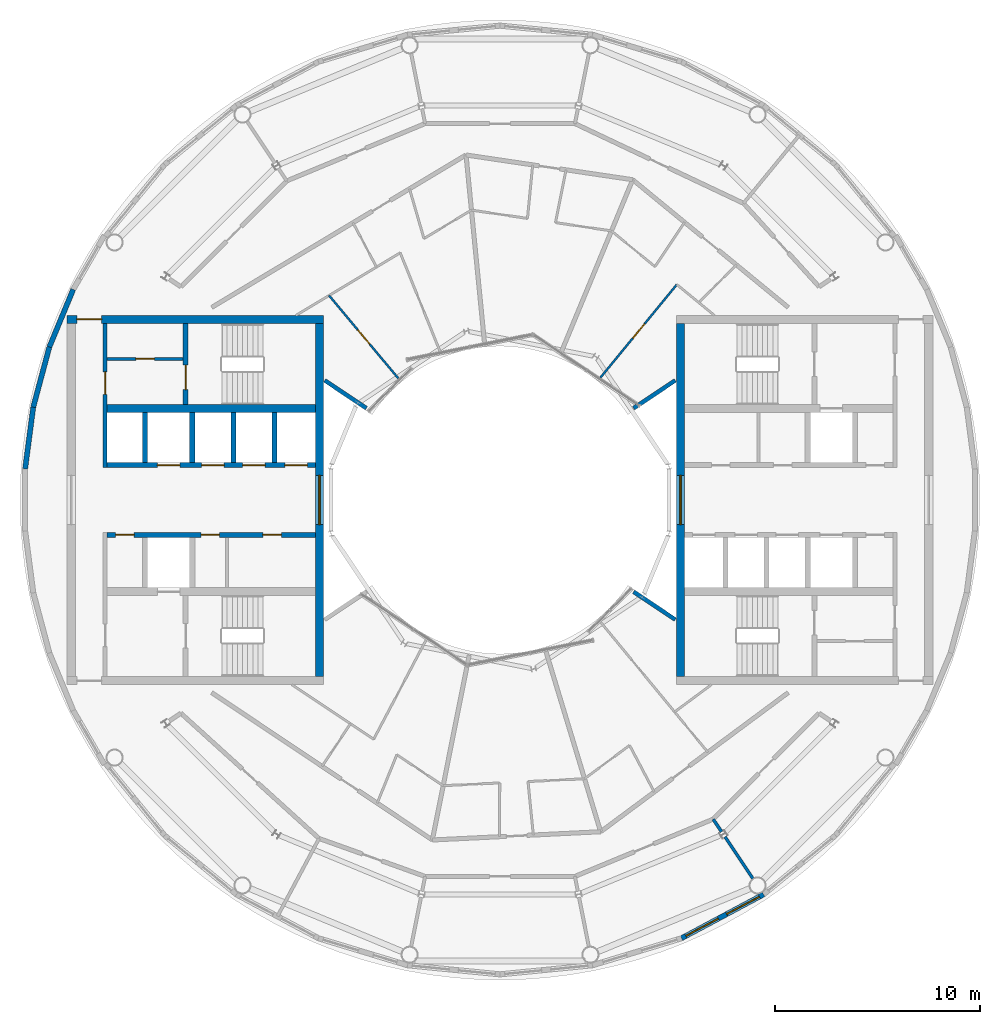
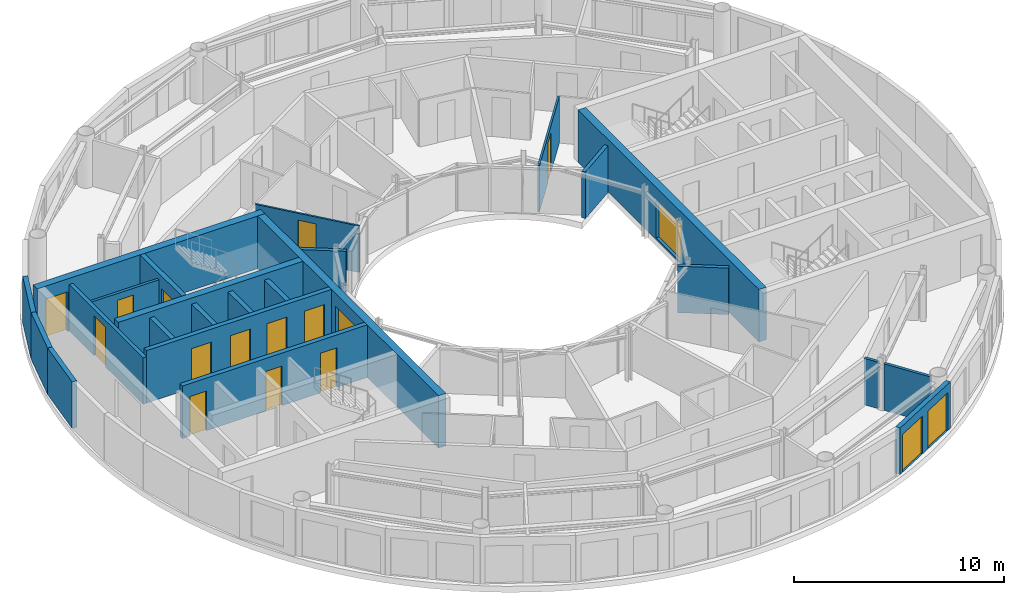
# One storey, part 10 of 17: 24 walls, 15 doors, 2 windows, 17 openings.
"""IFC4 building model written with IfcOpenShell, lengths in metres."""

from ifc_helpers import new_model, si_unit, direction, frame, frame_2d, origin, place, context, subcontext, project, spatial, rectangle, extrude, material, layer, layer_set, type_object, element, fill, save


model = new_model("IFC4")

# Units and contexts
model_context = context("Model", 3, precision=1e-05, world=origin(), true_north=direction((0.0, 1.0)))
body_context = subcontext(model_context, "Body", "Model", "MODEL_VIEW")
ifc_project = project(units=[si_unit("LENGTHUNIT", "METRE"), si_unit("AREAUNIT", "SQUARE_METRE"), si_unit("VOLUMEUNIT", "CUBIC_METRE"), si_unit("PLANEANGLEUNIT", "RADIAN"), si_unit("MASSUNIT", "GRAM", prefix="KILO")], contexts=[model_context])

# Site, building, storey
site_placement = place(None, origin())
site = spatial("IfcSite", under=ifc_project, at=site_placement, CompositionType="ELEMENT")
building_placement = place(site_placement, origin())
building = spatial("IfcBuilding", under=site, at=building_placement, Name="Maasbend Ring Residences", CompositionType="ELEMENT")
storey_placement = place(building_placement, frame((0.0, 0.0, 249.300048828125)))
storey = spatial("IfcBuildingStorey", under=building, at=storey_placement, Name="L72", CompositionType="ELEMENT", Elevation=249.300048828125)

# Wall, openings, doors
ifc_material_1 = material(Name="Concrete C50/60", Category="concrete")
ifc_layer_1 = layer(ifc_material_1, 0.25)
ifc_layer_set_1 = layer_set([ifc_layer_1], Name="Concrete C50/60")
wall_type_1 = type_object("IfcWallType", Name="CORE WALL 250 C50/60", PredefinedType="SHEAR", material=ifc_layer_set_1)
wall_1_placement = place(storey_placement, frame((-9.0, -1.699951171875, 0.0), z_axis=(0.0, 0.0, 1.0), x_axis=(-1.0, 0.0, 0.0)))
wall_1 = element("IfcWall", 1, at=wall_1_placement, inside=storey, type_object=wall_type_1, Name="L72 core W wall SPN", PredefinedType="SHEAR", context=body_context, shape_type="SweptSolid", body=[
    extrude(rectangle(XDim=10.14990234375, YDim=0.25, at=frame_2d((5.074951171875, 0.0))), origin(), (0.0, 0.0, 1.0), 3.050048828125),
])
opening_1_placement = place(wall_1_placement, frame((1.66259765625, 0.0, 0.0)))
opening_1 = element("IfcOpeningElement", 2, at=opening_1_placement, cuts=wall_1, Name="Opening D-W7206", PredefinedType="OPENING", context=body_context, shape_type="SweptSolid", body=[
    extrude(rectangle(XDim=0.89990234375, YDim=2.300048828125, at=frame_2d((0.449951171875, 1.14990234375))), frame((0.0, 0.135009765625, 0.0), z_axis=(0.0, -1.0, 0.0), x_axis=(1.0, 0.0, 0.0)), (0.0, 0.0, 1.0), 0.27001953125),
])
opening_2_placement = place(wall_1_placement, frame((4.675048828125, 0.0, 0.0)))
opening_2 = element("IfcOpeningElement", 3, at=opening_2_placement, cuts=wall_1, Name="Opening D-W7207", PredefinedType="OPENING", context=body_context, shape_type="SweptSolid", body=[
    extrude(rectangle(XDim=0.89990234375, YDim=2.300048828125, at=frame_2d((0.449951171875, 1.14990234375))), frame((0.0, 0.135009765625, 0.0), z_axis=(0.0, -1.0, 0.0), x_axis=(1.0, 0.0, 0.0)), (0.0, 0.0, 1.0), 0.27001953125),
])
opening_3_placement = place(wall_1_placement, frame((8.83740234375, 0.0, 0.0)))
opening_3 = element("IfcOpeningElement", 4, at=opening_3_placement, cuts=wall_1, Name="Opening D-W7208", PredefinedType="OPENING", context=body_context, shape_type="SweptSolid", body=[
    extrude(rectangle(XDim=0.89990234375, YDim=2.300048828125, at=frame_2d((0.449951171875, 1.14990234375))), frame((0.0, 0.135009765625, 0.0), z_axis=(0.0, -1.0, 0.0), x_axis=(1.0, 0.0, 0.0)), (0.0, 0.0, 1.0), 0.27001953125),
])
ifc_material_2 = material(Name="Steel, powder coated", Category="steel")
door_type_1 = type_object("IfcDoorType", Name="ROOM DOOR 900 X 2300 FD30S", OperationType="NOTDEFINED", PredefinedType="DOOR", material=ifc_material_2)
door_1_placement = place(opening_1_placement, origin())
door_1 = element("IfcDoor", 5, at=door_1_placement, inside=storey, type_object=door_type_1, Name="Room door L72", OperationType="SINGLE_SWING_RIGHT", OverallHeight=2.300048828125, OverallWidth=0.89990234375, PredefinedType="DOOR", context=body_context, shape_type="SweptSolid", body=[
    extrude(rectangle(XDim=0.89990234375, YDim=2.300048828125, at=frame_2d((0.449951171875, 1.14990234375))), frame((0.0, 0.02490234375, 0.0), z_axis=(0.0, -1.0, 0.0), x_axis=(1.0, 0.0, 0.0)), (0.0, 0.0, 1.0), 0.050048828125),
])
fill(opening_1, door_1)
door_2_placement = place(opening_2_placement, origin())
door_2 = element("IfcDoor", 6, at=door_2_placement, inside=storey, type_object=door_type_1, Name="Room door L72", OperationType="SINGLE_SWING_LEFT", OverallHeight=2.300048828125, OverallWidth=0.89990234375, PredefinedType="DOOR", context=body_context, shape_type="SweptSolid", body=[
    extrude(rectangle(XDim=0.89990234375, YDim=2.300048828125, at=frame_2d((0.449951171875, 1.14990234375))), frame((0.0, 0.02490234375, 0.0), z_axis=(0.0, -1.0, 0.0), x_axis=(1.0, 0.0, 0.0)), (0.0, 0.0, 1.0), 0.050048828125),
])
fill(opening_2, door_2)
door_3_placement = place(opening_3_placement, origin())
door_3 = element("IfcDoor", 7, at=door_3_placement, inside=storey, type_object=door_type_1, Name="Room door L72", OperationType="SINGLE_SWING_LEFT", OverallHeight=2.300048828125, OverallWidth=0.89990234375, PredefinedType="DOOR", context=body_context, shape_type="SweptSolid", body=[
    extrude(rectangle(XDim=0.89990234375, YDim=2.300048828125, at=frame_2d((0.449951171875, 1.14990234375))), frame((0.0, 0.02490234375, 0.0), z_axis=(0.0, -1.0, 0.0), x_axis=(1.0, 0.0, 0.0)), (0.0, 0.0, 1.0), 0.050048828125),
])
fill(opening_3, door_3)

wall_2_placement = place(storey_placement, frame((-9.0, 1.699951171875, 0.0), z_axis=(0.0, 0.0, 1.0), x_axis=(-1.0, 0.0, 0.0)))
wall_2 = element("IfcWall", 8, at=wall_2_placement, inside=storey, type_object=wall_type_1, Name="L72 core W wall SPS", PredefinedType="SHEAR", context=body_context, shape_type="SweptSolid", body=[
    extrude(rectangle(XDim=10.14990234375, YDim=0.25, at=frame_2d((5.074951171875, 0.0))), origin(), (0.0, 0.0, 1.0), 3.050048828125),
])
opening_4_placement = place(wall_2_placement, frame((0.387451171875, 0.0, 0.0)))
opening_4 = element("IfcOpeningElement", 9, at=opening_4_placement, cuts=wall_2, Name="Opening LD-W7202", PredefinedType="OPENING", context=body_context, shape_type="SweptSolid", body=[
    extrude(rectangle(XDim=1.10009765625, YDim=2.300048828125, at=frame_2d((0.550048828125, 1.14990234375))), frame((0.0, 0.135009765625, 0.0), z_axis=(0.0, -1.0, 0.0), x_axis=(1.0, 0.0, 0.0)), (0.0, 0.0, 1.0), 0.27001953125),
])
opening_5_placement = place(wall_2_placement, frame((2.449951171875, 0.0, 0.0)))
opening_5 = element("IfcOpeningElement", 10, at=opening_5_placement, cuts=wall_2, Name="Opening LD-W7203", PredefinedType="OPENING", context=body_context, shape_type="SweptSolid", body=[
    extrude(rectangle(XDim=1.10009765625, YDim=2.300048828125, at=frame_2d((0.550048828125, 1.14990234375))), frame((0.0, 0.135009765625, 0.0), z_axis=(0.0, -1.0, 0.0), x_axis=(1.0, 0.0, 0.0)), (0.0, 0.0, 1.0), 0.27001953125),
])
opening_6_placement = place(wall_2_placement, frame((4.449951171875, 0.0, 0.0)))
opening_6 = element("IfcOpeningElement", 11, at=opening_6_placement, cuts=wall_2, Name="Opening LD-W7204", PredefinedType="OPENING", context=body_context, shape_type="SweptSolid", body=[
    extrude(rectangle(XDim=1.10009765625, YDim=2.300048828125, at=frame_2d((0.550048828125, 1.14990234375))), frame((0.0, 0.135009765625, 0.0), z_axis=(0.0, -1.0, 0.0), x_axis=(1.0, 0.0, 0.0)), (0.0, 0.0, 1.0), 0.27001953125),
])
opening_7_placement = place(wall_2_placement, frame((6.60009765625, 0.0, 0.0)))
opening_7 = element("IfcOpeningElement", 12, at=opening_7_placement, cuts=wall_2, Name="Opening LD-W7205", PredefinedType="OPENING", context=body_context, shape_type="SweptSolid", body=[
    extrude(rectangle(XDim=1.10009765625, YDim=2.300048828125, at=frame_2d((0.550048828125, 1.14990234375))), frame((0.0, 0.135009765625, 0.0), z_axis=(0.0, -1.0, 0.0), x_axis=(1.0, 0.0, 0.0)), (0.0, 0.0, 1.0), 0.27001953125),
])
ifc_material_3 = material(Name="Stainless steel 316", Category="steel")
door_type_2 = type_object("IfcDoorType", Name="LANDING DOOR 1100 X 2300 FD60", OperationType="DOUBLE_DOOR_SLIDING", PredefinedType="DOOR", material=ifc_material_3)
door_4_placement = place(opening_4_placement, origin())
door_4 = element("IfcDoor", 13, at=door_4_placement, inside=storey, type_object=door_type_2, Name="Landing door HR-W1 L72", OperationType="DOUBLE_DOOR_SLIDING", OverallHeight=2.300048828125, OverallWidth=1.10009765625, PredefinedType="DOOR", context=body_context, shape_type="SweptSolid", body=[
    extrude(rectangle(XDim=1.10009765625, YDim=2.300048828125, at=frame_2d((0.550048828125, 1.14990234375))), frame((0.0, 0.02490234375, 0.0), z_axis=(0.0, -1.0, 0.0), x_axis=(1.0, 0.0, 0.0)), (0.0, 0.0, 1.0), 0.050048828125),
])
fill(opening_4, door_4)
door_5_placement = place(opening_5_placement, origin())
door_5 = element("IfcDoor", 14, at=door_5_placement, inside=storey, type_object=door_type_2, Name="Landing door HR-W2 L72", OperationType="DOUBLE_DOOR_SLIDING", OverallHeight=2.300048828125, OverallWidth=1.10009765625, PredefinedType="DOOR", context=body_context, shape_type="SweptSolid", body=[
    extrude(rectangle(XDim=1.10009765625, YDim=2.300048828125, at=frame_2d((0.550048828125, 1.14990234375))), frame((0.0, 0.02490234375, 0.0), z_axis=(0.0, -1.0, 0.0), x_axis=(1.0, 0.0, 0.0)), (0.0, 0.0, 1.0), 0.050048828125),
])
fill(opening_5, door_5)
door_6_placement = place(opening_6_placement, origin())
door_6 = element("IfcDoor", 15, at=door_6_placement, inside=storey, type_object=door_type_2, Name="Landing door HR-W3 L72", OperationType="DOUBLE_DOOR_SLIDING", OverallHeight=2.300048828125, OverallWidth=1.10009765625, PredefinedType="DOOR", context=body_context, shape_type="SweptSolid", body=[
    extrude(rectangle(XDim=1.10009765625, YDim=2.300048828125, at=frame_2d((0.550048828125, 1.14990234375))), frame((0.0, 0.02490234375, 0.0), z_axis=(0.0, -1.0, 0.0), x_axis=(1.0, 0.0, 0.0)), (0.0, 0.0, 1.0), 0.050048828125),
])
fill(opening_6, door_6)
door_7_placement = place(opening_7_placement, origin())
door_7 = element("IfcDoor", 16, at=door_7_placement, inside=storey, type_object=door_type_2, Name="Landing door SV-W L72", OperationType="DOUBLE_DOOR_SLIDING", OverallHeight=2.300048828125, OverallWidth=1.10009765625, PredefinedType="DOOR", context=body_context, shape_type="SweptSolid", body=[
    extrude(rectangle(XDim=1.10009765625, YDim=2.300048828125, at=frame_2d((0.550048828125, 1.14990234375))), frame((0.0, 0.02490234375, 0.0), z_axis=(0.0, -1.0, 0.0), x_axis=(1.0, 0.0, 0.0)), (0.0, 0.0, 1.0), 0.050048828125),
])
fill(opening_7, door_7)

# Wall, opening, door
wall_3_placement = place(storey_placement, frame((-15.324951171875, 8.60009765625, 0.0), z_axis=(0.0, 0.0, 1.0), x_axis=(0.0, -1.0, 0.0)))
wall_3 = element("IfcWall", 17, at=wall_3_placement, inside=storey, type_object=wall_type_1, Name="L72 core W wall STES", PredefinedType="SHEAR", context=body_context, shape_type="SweptSolid", body=[
    extrude(rectangle(XDim=3.9501953125, YDim=0.25, at=frame_2d((1.97509765625, 0.0))), origin(), (0.0, 0.0, 1.0), 3.050048828125),
])
opening_8_placement = place(wall_3_placement, frame((2.02490234375, 0.0, 0.0)))
opening_8 = element("IfcOpeningElement", 18, at=opening_8_placement, cuts=wall_3, Name="Opening D-W7211", PredefinedType="OPENING", context=body_context, shape_type="SweptSolid", body=[
    extrude(rectangle(XDim=1.199951171875, YDim=2.300048828125, at=frame_2d((0.60009765625, 1.14990234375))), frame((0.0, 0.135009765625, 0.0), z_axis=(0.0, -1.0, 0.0), x_axis=(1.0, 0.0, 0.0)), (0.0, 0.0, 1.0), 0.27001953125),
])
ifc_material_4 = material(Name="Steel, powder coated", Category="steel")
door_type_3 = type_object("IfcDoorType", Name="STAIR DOOR 1200 X 2300 FD60", OperationType="NOTDEFINED", PredefinedType="DOOR", material=ifc_material_4)
door_8_placement = place(opening_8_placement, origin())
door_8 = element("IfcDoor", 19, at=door_8_placement, inside=storey, type_object=door_type_3, Name="Stair door ST-W L72", OperationType="SINGLE_SWING_LEFT", OverallHeight=2.300048828125, OverallWidth=1.199951171875, PredefinedType="DOOR", context=body_context, shape_type="SweptSolid", body=[
    extrude(rectangle(XDim=1.199951171875, YDim=2.300048828125, at=frame_2d((0.60009765625, 1.14990234375))), frame((0.0, 0.02490234375, 0.0), z_axis=(0.0, -1.0, 0.0), x_axis=(1.0, 0.0, 0.0)), (0.0, 0.0, 1.0), 0.050048828125),
])
fill(opening_8, door_8)

# Wall
ifc_material_5 = material(Name="Concrete C50/60", Category="concrete")
ifc_layer_2 = layer(ifc_material_5, 0.375)
ifc_layer_set_2 = layer_set([ifc_layer_2], Name="Concrete C50/60")
wall_type_2 = type_object("IfcWallType", Name="CORE WALL 375 C50/60", PredefinedType="SHEAR", material=ifc_layer_set_2)
wall_4_placement = place(storey_placement, frame((-9.0, 4.46240234375, 0.0), z_axis=(0.0, 0.0, 1.0), x_axis=(-1.0, 0.0, 0.0)))
element("IfcWall", 20, at=wall_4_placement, inside=storey, type_object=wall_type_2, Name="L72 core W wall BS", PredefinedType="SHEAR", context=body_context, shape_type="SweptSolid", body=[
    extrude(rectangle(XDim=10.14990234375, YDim=0.375, at=frame_2d((5.074951171875, 0.0))), origin(), (0.0, 0.0, 1.0), 3.050048828125),
])

# Wall, opening, window
ifc_material_6 = material(Name="Concrete C50/60", Category="concrete")
ifc_layer_3 = layer(ifc_material_6, 0.39990234375)
ifc_layer_set_3 = layer_set([ifc_layer_3], Name="Concrete C50/60")
wall_type_3 = type_object("IfcWallType", Name="CORE WALL 400 C50/60", PredefinedType="SHEAR", material=ifc_layer_set_3)
wall_5_placement = place(storey_placement, frame((8.800048828125, -8.60009765625, 0.0), z_axis=(0.0, 0.0, 1.0), x_axis=(0.0, 1.0, 0.0)))
wall_5 = element("IfcWall", 21, at=wall_5_placement, inside=storey, type_object=wall_type_3, Name="L72 core E wall PIN", PredefinedType="SHEAR", context=body_context, shape_type="SweptSolid", body=[
    extrude(rectangle(XDim=17.2001953125, YDim=0.39990234375, at=frame_2d((8.60009765625, 0.0))), origin(), (0.0, 0.0, 1.0), 3.050048828125),
])
opening_9_placement = place(wall_5_placement, frame((7.39990234375, 0.0, 0.10009765625)))
opening_9 = element("IfcOpeningElement", 22, at=opening_9_placement, cuts=wall_5, Name="Opening W-E7201", PredefinedType="OPENING", context=body_context, shape_type="SweptSolid", body=[
    extrude(rectangle(XDim=2.39990234375, YDim=2.199951171875, at=frame_2d((1.199951171875, 1.10009765625))), frame((0.0, 0.2099609375, 0.0), z_axis=(0.0, -1.0, 0.0), x_axis=(1.0, 0.0, 0.0)), (0.0, 0.0, 1.0), 0.419921875),
])
ifc_material_7 = material(Name="Aluminium frame and clear glass", Category="aluminium")
window_type = type_object("IfcWindowType", Name="FIXED WINDOW 2400 X 2200", PartitioningType="SINGLE_PANEL", PredefinedType="WINDOW", material=ifc_material_7)
window_1_placement = place(opening_9_placement, origin())
window_1 = element("IfcWindow", 23, at=window_1_placement, inside=storey, type_object=window_type, Name="Lobby window L72", OverallHeight=2.199951171875, OverallWidth=2.39990234375, PartitioningType="SINGLE_PANEL", PredefinedType="WINDOW", context=body_context, shape_type="SweptSolid", body=[
    extrude(rectangle(XDim=2.39990234375, YDim=2.199951171875, at=frame_2d((1.199951171875, 1.10009765625))), frame((0.0, 0.030029296875, 0.0), z_axis=(0.0, -1.0, 0.0), x_axis=(1.0, 0.0, 0.0)), (0.0, 0.0, 1.0), 0.06005859375),
])
fill(opening_9, window_1)

# Wall, opening, door
wall_6_placement = place(storey_placement, frame((-8.60009765625, 8.800048828125, 0.0), z_axis=(0.0, 0.0, 1.0), x_axis=(-1.0, 0.0, 0.0)))
wall_6 = element("IfcWall", 24, at=wall_6_placement, inside=storey, type_object=wall_type_3, Name="L72 core W wall PS", PredefinedType="SHEAR", context=body_context, shape_type="SweptSolid", body=[
    extrude(rectangle(XDim=12.5, YDim=0.39990234375, at=frame_2d((6.25, 0.0))), origin(), (0.0, 0.0, 1.0), 3.050048828125),
])
opening_10_placement = place(wall_6_placement, frame((10.824951171875, 0.0, 0.0)))
opening_10 = element("IfcOpeningElement", 25, at=opening_10_placement, cuts=wall_6, Name="Opening D-W7215", PredefinedType="OPENING", context=body_context, shape_type="SweptSolid", body=[
    extrude(rectangle(XDim=1.199951171875, YDim=2.300048828125, at=frame_2d((0.60009765625, 1.14990234375))), frame((0.0, 0.2099609375, 0.0), z_axis=(0.0, -1.0, 0.0), x_axis=(1.0, 0.0, 0.0)), (0.0, 0.0, 1.0), 0.419921875),
])
ifc_material_8 = material(Name="Steel, powder coated", Category="steel")
door_type_4 = type_object("IfcDoorType", Name="CORRIDOR DOOR 1200 X 2300 FD30S", OperationType="NOTDEFINED", PredefinedType="DOOR", material=ifc_material_8)
door_9_placement = place(opening_10_placement, origin())
door_9 = element("IfcDoor", 26, at=door_9_placement, inside=storey, type_object=door_type_4, Name="Corridor door L72", OperationType="SINGLE_SWING_LEFT", OverallHeight=2.300048828125, OverallWidth=1.199951171875, PredefinedType="DOOR", context=body_context, shape_type="SweptSolid", body=[
    extrude(rectangle(XDim=1.199951171875, YDim=2.300048828125, at=frame_2d((0.60009765625, 1.14990234375))), frame((0.0, 0.02490234375, 0.0), z_axis=(0.0, -1.0, 0.0), x_axis=(1.0, 0.0, 0.0)), (0.0, 0.0, 1.0), 0.050048828125),
])
fill(opening_10, door_9)

# Wall, opening, window
wall_7_placement = place(storey_placement, frame((-8.800048828125, 8.60009765625, 0.0), z_axis=(0.0, 0.0, 1.0), x_axis=(0.0, -1.0, 0.0)))
wall_7 = element("IfcWall", 27, at=wall_7_placement, inside=storey, type_object=wall_type_3, Name="L72 core W wall PIN", PredefinedType="SHEAR", context=body_context, shape_type="SweptSolid", body=[
    extrude(rectangle(XDim=17.2001953125, YDim=0.39990234375, at=frame_2d((8.60009765625, 0.0))), origin(), (0.0, 0.0, 1.0), 3.050048828125),
])
opening_11_placement = place(wall_7_placement, frame((7.39990234375, 0.0, 0.10009765625)))
opening_11 = element("IfcOpeningElement", 28, at=opening_11_placement, cuts=wall_7, Name="Opening W-W7201", PredefinedType="OPENING", context=body_context, shape_type="SweptSolid", body=[
    extrude(rectangle(XDim=2.39990234375, YDim=2.199951171875, at=frame_2d((1.199951171875, 1.10009765625))), frame((0.0, 0.2099609375, 0.0), z_axis=(0.0, -1.0, 0.0), x_axis=(1.0, 0.0, 0.0)), (0.0, 0.0, 1.0), 0.419921875),
])
window_2_placement = place(opening_11_placement, origin())
window_2 = element("IfcWindow", 29, at=window_2_placement, inside=storey, type_object=window_type, Name="Lobby window L72", OverallHeight=2.199951171875, OverallWidth=2.39990234375, PartitioningType="SINGLE_PANEL", PredefinedType="WINDOW", context=body_context, shape_type="SweptSolid", body=[
    extrude(rectangle(XDim=2.39990234375, YDim=2.199951171875, at=frame_2d((1.199951171875, 1.10009765625))), frame((0.0, 0.030029296875, 0.0), z_axis=(0.0, -1.0, 0.0), x_axis=(1.0, 0.0, 0.0)), (0.0, 0.0, 1.0), 0.06005859375),
])
fill(opening_11, window_2)

# Wall, openings, doors
ifc_material_9 = material(Name="Aluminium clad insulated panel", Category="aluminium")
ifc_layer_4 = layer(ifc_material_9, 0.25)
ifc_layer_set_4 = layer_set([ifc_layer_4], Name="EW-GL")
wall_type_4 = type_object("IfcWallType", Name="EW-GL", PredefinedType="SOLIDWALL", material=ifc_layer_set_4)
wall_8_placement = place(storey_placement, frame((8.85009765625, -21.364990234375, 0.0), z_axis=(0.0, 0.0, 1.0), x_axis=(0.881912752543, 0.471412660947, 0.0)))
wall_8 = element("IfcWall", 30, at=wall_8_placement, inside=storey, type_object=wall_type_4, Name="External wall S08", PredefinedType="SOLIDWALL", context=body_context, shape_type="SweptSolid", body=[
    extrude(rectangle(XDim=4.533203125, YDim=0.25, at=frame_2d((2.2666015625, 0.0))), origin(), (0.0, 0.0, 1.0), 2.699951171875),
])
opening_12_placement = place(wall_8_placement, frame((0.236083984375, 0.0, 0.0)))
opening_12 = element("IfcOpeningElement", 31, at=opening_12_placement, cuts=wall_8, Name="Opening D-TR", PredefinedType="OPENING", context=body_context, shape_type="SweptSolid", body=[
    extrude(rectangle(XDim=1.800048828125, YDim=2.199951171875, at=frame_2d((0.89990234375, 1.10009765625))), frame((0.0, 0.135009765625, 0.0), z_axis=(0.0, -1.0, 0.0), x_axis=(1.0, 0.0, 0.0)), (0.0, 0.0, 1.0), 0.27001953125),
])
opening_13_placement = place(wall_8_placement, frame((2.497314453125, 0.0, 0.0)))
opening_13 = element("IfcOpeningElement", 32, at=opening_13_placement, cuts=wall_8, Name="Opening D-TR", PredefinedType="OPENING", context=body_context, shape_type="SweptSolid", body=[
    extrude(rectangle(XDim=1.800048828125, YDim=2.199951171875, at=frame_2d((0.89990234375, 1.10009765625))), frame((0.0, 0.135009765625, 0.0), z_axis=(0.0, -1.0, 0.0), x_axis=(1.0, 0.0, 0.0)), (0.0, 0.0, 1.0), 0.27001953125),
])
ifc_material_10 = material(Name="Aluminium and clear glass", Category="aluminium")
door_type_5 = type_object("IfcDoorType", Name="D-TR", OperationType="DOUBLE_DOOR_SINGLE_SWING", PredefinedType="DOOR", material=ifc_material_10)
door_10_placement = place(opening_12_placement, origin())
door_10 = element("IfcDoor", 33, at=door_10_placement, inside=storey, type_object=door_type_5, Name="Terrace door S15", OperationType="SINGLE_SWING_LEFT", OverallHeight=2.199951171875, OverallWidth=1.800048828125, PredefinedType="DOOR", context=body_context, shape_type="SweptSolid", body=[
    extrude(rectangle(XDim=1.800048828125, YDim=2.199951171875, at=frame_2d((0.89990234375, 1.10009765625))), frame((0.0, 0.02490234375, 0.0), z_axis=(0.0, -1.0, 0.0), x_axis=(1.0, 0.0, 0.0)), (0.0, 0.0, 1.0), 0.050048828125),
])
fill(opening_12, door_10)
door_11_placement = place(opening_13_placement, origin())
door_11 = element("IfcDoor", 34, at=door_11_placement, inside=storey, type_object=door_type_5, Name="Terrace door S16", OperationType="SINGLE_SWING_LEFT", OverallHeight=2.199951171875, OverallWidth=1.800048828125, PredefinedType="DOOR", context=body_context, shape_type="SweptSolid", body=[
    extrude(rectangle(XDim=1.800048828125, YDim=2.199951171875, at=frame_2d((0.89990234375, 1.10009765625))), frame((0.0, 0.02490234375, 0.0), z_axis=(0.0, -1.0, 0.0), x_axis=(1.0, 0.0, 0.0)), (0.0, 0.0, 1.0), 0.050048828125),
])
fill(opening_13, door_11)

# Walls
ifc_material_11 = material(Name="Louvred aluminium panel", Category="aluminium")
ifc_layer_5 = layer(ifc_material_11, 0.25)
ifc_layer_set_5 = layer_set([ifc_layer_5], Name="EW-LV")
wall_type_5 = type_object("IfcWallType", Name="EW-LV", PredefinedType="SOLIDWALL", material=ifc_layer_set_5)
wall_9_placement = place(storey_placement, frame((-20.806884765625, 10.260986328125, 0.0), z_axis=(0.0, 0.0, 1.0), x_axis=(-0.382872724993, -0.923801102216, 0.0)))
element("IfcWall", 35, at=wall_9_placement, inside=storey, type_object=wall_type_5, Name="Horn wall 2.2", PredefinedType="SOLIDWALL", context=body_context, shape_type="SweptSolid", body=[
    extrude(rectangle(XDim=3.03515625, YDim=0.25, at=frame_2d((1.517578125, 0.0))), origin(), (0.0, 0.0, 1.0), 2.699951171875),
])
wall_10_placement = place(storey_placement, frame((-21.968994140625, 7.45703125, 0.0), z_axis=(0.0, 0.0, 1.0), x_axis=(-0.258669057101, -0.965966002972, 0.0)))
element("IfcWall", 36, at=wall_10_placement, inside=storey, type_object=wall_type_5, Name="Horn wall 2.3", PredefinedType="SOLIDWALL", context=body_context, shape_type="SweptSolid", body=[
    extrude(rectangle(XDim=3.034423828125, YDim=0.25, at=frame_2d((1.51708984375, 0.0))), origin(), (0.0, 0.0, 1.0), 2.699951171875),
])
wall_11_placement = place(storey_placement, frame((-22.75390625, 4.52587890625, 0.0), z_axis=(0.0, 0.0, 1.0), x_axis=(-0.130487809173, -0.991449913842, 0.0)))
element("IfcWall", 37, at=wall_11_placement, inside=storey, type_object=wall_type_5, Name="Horn wall 2.4", PredefinedType="SOLIDWALL", context=body_context, shape_type="SweptSolid", body=[
    extrude(rectangle(XDim=3.03466796875, YDim=0.25, at=frame_2d((1.517333984375, 0.0))), origin(), (0.0, 0.0, 1.0), 2.699951171875),
])

# Wall, opening, door
ifc_material_12 = material(Name="Gypsum board on steel studs", Category="steel")
ifc_layer_6 = layer(ifc_material_12, 0.10009765625)
ifc_layer_set_6 = layer_set([ifc_layer_6], Name="PARTITION 100 GYPSUM")
wall_type_6 = type_object("IfcWallType", Name="PARTITION 100 GYPSUM", PredefinedType="PARTITIONING", material=ifc_layer_set_6)
wall_12_placement = place(storey_placement, frame((-8.3349609375, 9.969970703125, 0.0), z_axis=(0.0, 0.0, 1.0), x_axis=(0.641376424834, -0.767226356213, 0.0)))
wall_12 = element("IfcWall", 38, at=wall_12_placement, inside=storey, type_object=wall_type_6, Name="U-L72-w023", PredefinedType="PARTITIONING", context=body_context, shape_type="SweptSolid", body=[
    extrude(rectangle(XDim=5.274658203125, YDim=0.10009765625, at=frame_2d((2.63720703125, 0.0))), origin(), (0.0, 0.0, 1.0), 2.699951171875),
])
opening_14_placement = place(wall_12_placement, frame((2.18701171875, 0.0, 0.0)))
opening_14 = element("IfcOpeningElement", 39, at=opening_14_placement, cuts=wall_12, Name="Opening D-7222", PredefinedType="OPENING", context=body_context, shape_type="SweptSolid", body=[
    extrude(rectangle(XDim=0.89990234375, YDim=2.300048828125, at=frame_2d((0.449951171875, 1.14990234375))), frame((0.0, 0.06005859375, 0.0), z_axis=(0.0, -1.0, 0.0), x_axis=(1.0, 0.0, 0.0)), (0.0, 0.0, 1.0), 0.1201171875),
])
ifc_material_13 = material(Name="Timber, painted", Category="wood")
door_type_6 = type_object("IfcDoorType", Name="INTERNAL DOOR 900 X 2300", OperationType="NOTDEFINED", PredefinedType="DOOR", material=ifc_material_13)
door_12_placement = place(opening_14_placement, origin())
door_12 = element("IfcDoor", 40, at=door_12_placement, inside=storey, type_object=door_type_6, Name="D-7222", OperationType="SINGLE_SWING_RIGHT", OverallHeight=2.300048828125, OverallWidth=0.89990234375, PredefinedType="DOOR", context=body_context, shape_type="SweptSolid", body=[
    extrude(rectangle(XDim=0.89990234375, YDim=2.300048828125, at=frame_2d((0.449951171875, 1.14990234375))), frame((0.0, 0.02490234375, 0.0), z_axis=(0.0, -1.0, 0.0), x_axis=(1.0, 0.0, 0.0)), (0.0, 0.0, 1.0), 0.050048828125),
])
fill(opening_14, door_12)

wall_13_placement = place(storey_placement, frame((4.89794921875, 5.968017578125, 0.0), z_axis=(0.0, 0.0, 1.0), x_axis=(0.634358693064, 0.773038840249, 0.0)))
wall_13 = element("IfcWall", 41, at=wall_13_placement, inside=storey, type_object=wall_type_6, Name="U-L72-w045", PredefinedType="PARTITIONING", context=body_context, shape_type="SweptSolid", body=[
    extrude(rectangle(XDim=5.86767578125, YDim=0.10009765625, at=frame_2d((2.933837890625, 0.0))), origin(), (0.0, 0.0, 1.0), 2.699951171875),
])
opening_15_placement = place(wall_13_placement, frame((2.48388671875, 0.0, 0.0)))
opening_15 = element("IfcOpeningElement", 42, at=opening_15_placement, cuts=wall_13, Name="Opening D-7214", PredefinedType="OPENING", context=body_context, shape_type="SweptSolid", body=[
    extrude(rectangle(XDim=0.89990234375, YDim=2.300048828125, at=frame_2d((0.449951171875, 1.14990234375))), frame((0.0, 0.06005859375, 0.0), z_axis=(0.0, -1.0, 0.0), x_axis=(1.0, 0.0, 0.0)), (0.0, 0.0, 1.0), 0.1201171875),
])
door_13_placement = place(opening_15_placement, origin())
door_13 = element("IfcDoor", 43, at=door_13_placement, inside=storey, type_object=door_type_6, Name="D-7214", OperationType="SINGLE_SWING_RIGHT", OverallHeight=2.300048828125, OverallWidth=0.89990234375, PredefinedType="DOOR", context=body_context, shape_type="SweptSolid", body=[
    extrude(rectangle(XDim=0.89990234375, YDim=2.300048828125, at=frame_2d((0.449951171875, 1.14990234375))), frame((0.0, 0.02490234375, 0.0), z_axis=(0.0, -1.0, 0.0), x_axis=(1.0, 0.0, 0.0)), (0.0, 0.0, 1.0), 0.050048828125),
])
fill(opening_15, door_13)

ifc_material_14 = material(Name="Gypsum board on steel studs", Category="steel")
ifc_layer_7 = layer(ifc_material_14, 0.14990234375)
ifc_layer_set_7 = layer_set([ifc_layer_7], Name="PARTITION 150 EI 60")
wall_type_7 = type_object("IfcWallType", Name="PARTITION 150 EI 60", PredefinedType="PARTITIONING", material=ifc_layer_set_7)
wall_14_placement = place(storey_placement, frame((-15.449951171875, 6.875, 0.0), z_axis=(0.0, 0.0, 1.0), x_axis=(-1.0, 0.0, 0.0)))
wall_14 = element("IfcWall", 44, at=wall_14_placement, inside=storey, type_object=wall_type_7, Name="L72 core W wall RHS", PredefinedType="PARTITIONING", context=body_context, shape_type="SweptSolid", body=[
    extrude(rectangle(XDim=3.699951171875, YDim=0.14990234375, at=frame_2d((1.85009765625, 0.0))), origin(), (0.0, 0.0, 1.0), 2.699951171875),
])
opening_16_placement = place(wall_14_placement, frame((1.39990234375, 0.0, 0.0)))
opening_16 = element("IfcOpeningElement", 45, at=opening_16_placement, cuts=wall_14, Name="Opening D-W7209", PredefinedType="OPENING", context=body_context, shape_type="SweptSolid", body=[
    extrude(rectangle(XDim=0.89990234375, YDim=2.300048828125, at=frame_2d((0.449951171875, 1.14990234375))), frame((0.0, 0.0849609375, 0.0), z_axis=(0.0, -1.0, 0.0), x_axis=(1.0, 0.0, 0.0)), (0.0, 0.0, 1.0), 0.169921875),
])
ifc_material_15 = material(Name="Steel, powder coated", Category="steel")
door_type_7 = type_object("IfcDoorType", Name="RISER DOOR 900 X 2300 FD60", OperationType="NOTDEFINED", PredefinedType="DOOR", material=ifc_material_15)
door_14_placement = place(opening_16_placement, origin())
door_14 = element("IfcDoor", 46, at=door_14_placement, inside=storey, type_object=door_type_7, Name="Riser door L72", OperationType="SINGLE_SWING_LEFT", OverallHeight=2.300048828125, OverallWidth=0.89990234375, PredefinedType="DOOR", context=body_context, shape_type="SweptSolid", body=[
    extrude(rectangle(XDim=0.89990234375, YDim=2.300048828125, at=frame_2d((0.449951171875, 1.14990234375))), frame((0.0, 0.02490234375, 0.0), z_axis=(0.0, -1.0, 0.0), x_axis=(1.0, 0.0, 0.0)), (0.0, 0.0, 1.0), 0.050048828125),
])
fill(opening_16, door_14)

# Walls
ifc_material_16 = material(Name="Gypsum board on steel studs", Category="steel")
ifc_layer_8 = layer(ifc_material_16, 0.14990234375)
ifc_layer_set_8 = layer_set([ifc_layer_8], Name="PARTITION 150 GYPSUM")
wall_type_8 = type_object("IfcWallType", Name="PARTITION 150 GYPSUM", PredefinedType="PARTITIONING", material=ifc_layer_set_8)
wall_15_placement = place(storey_placement, frame((10.39208984375, -15.55908203125, 0.0), z_axis=(0.0, 0.0, 1.0), x_axis=(0.555537830231, -0.831491262241, 0.0)))
element("IfcWall", 47, at=wall_15_placement, inside=storey, type_object=wall_type_8, Name="U-L72-w050", PredefinedType="PARTITIONING", context=body_context, shape_type="SweptSolid", body=[
    extrude(rectangle(XDim=0.739501953125, YDim=0.14990234375, at=frame_2d((0.36962890625, 0.0))), origin(), (0.0, 0.0, 1.0), 2.699951171875),
])
wall_16_placement = place(storey_placement, frame((10.969970703125, -16.423095703125, 0.0), z_axis=(0.0, 0.0, 1.0), x_axis=(0.555504160879, -0.831513756498, 0.0)))
element("IfcWall", 48, at=wall_16_placement, inside=storey, type_object=wall_type_8, Name="U-L72-w051", PredefinedType="PARTITIONING", context=body_context, shape_type="SweptSolid", body=[
    extrude(rectangle(XDim=2.451904296875, YDim=0.14990234375, at=frame_2d((1.22607421875, 0.0))), origin(), (0.0, 0.0, 1.0), 2.699951171875),
])
ifc_material_17 = material(Name="Concrete C30/37", Category="concrete")
ifc_layer_9 = layer(ifc_material_17, 0.199951171875)
ifc_layer_set_9 = layer_set([ifc_layer_9], Name="Concrete C30/37")
wall_type_9 = type_object("IfcWallType", Name="PARTY WALL 200 CONCRETE", PredefinedType="PARTITIONING", material=ifc_layer_set_9)
for number, where, z_axis, x_axis, name in (
    (49, (6.512939453125, -4.471923828125, 0.0), (0.0, 0.0, 1.0), (0.831450132577, -0.555599385382, 0.0), "U-L72-w016"),
    (50, (-6.512939453125, 4.471923828125, 0.0), (0.0, 0.0, 1.0), (-0.831450132577, 0.555599385382, 0.0), "U-L72-w055"),
    (51, (6.512939453125, 4.471923828125, 0.0), (0.0, 0.0, 1.0), (0.831450132577, 0.555599385382, 0.0), "U-L72-w056"),
):
    element("IfcWall", number, at=place(storey_placement, frame(where, z_axis=z_axis, x_axis=x_axis)), inside=storey, type_object=wall_type_9, Name=name, PredefinedType="PARTITIONING", context=body_context, shape_type="SweptSolid", body=[
        extrude(rectangle(XDim=2.442626953125, YDim=0.199951171875, at=frame_2d((1.22119140625, 0.0))), origin(), (0.0, 0.0, 1.0), 2.699951171875),
    ])

# Wall, opening, door
ifc_material_18 = material(Name="Concrete C30/37", Category="concrete")
ifc_layer_10 = layer(ifc_material_18, 0.199951171875)
ifc_layer_set_10 = layer_set([ifc_layer_10], Name="Concrete C30/37")
wall_type_10 = type_object("IfcWallType", Name="SHAFT WALL 200 EI 120", PredefinedType="SOLIDWALL", material=ifc_layer_set_10)
wall_17_placement = place(storey_placement, frame((-19.25, 8.60009765625, 0.0), z_axis=(0.0, 0.0, 1.0), x_axis=(0.0, -1.0, 0.0)))
wall_17 = element("IfcWall", 52, at=wall_17_placement, inside=storey, type_object=wall_type_10, Name="L72 core W wall ENDS", PredefinedType="SOLIDWALL", context=body_context, shape_type="SweptSolid", body=[
    extrude(rectangle(XDim=7.025146484375, YDim=0.199951171875, at=frame_2d((3.5126953125, 0.0))), origin(), (0.0, 0.0, 1.0), 2.699951171875),
])
opening_17_placement = place(wall_17_placement, frame((2.35009765625, 0.0, 0.0)))
opening_17 = element("IfcOpeningElement", 53, at=opening_17_placement, cuts=wall_17, Name="Opening D-W7213", PredefinedType="OPENING", context=body_context, shape_type="SweptSolid", body=[
    extrude(rectangle(XDim=1.10009765625, YDim=2.300048828125, at=frame_2d((0.550048828125, 1.14990234375))), frame((0.0, 0.10986328125, 0.0), z_axis=(0.0, -1.0, 0.0), x_axis=(1.0, 0.0, 0.0)), (0.0, 0.0, 1.0), 0.219970703125),
])
ifc_material_19 = material(Name="Steel, powder coated", Category="steel")
door_type_8 = type_object("IfcDoorType", Name="LOBBY DOOR 1100 X 2300 FD60", OperationType="NOTDEFINED", PredefinedType="DOOR", material=ifc_material_19)
door_15_placement = place(opening_17_placement, origin())
door_15 = element("IfcDoor", 54, at=door_15_placement, inside=storey, type_object=door_type_8, Name="Lobby door L72", OperationType="SINGLE_SWING_RIGHT", OverallHeight=2.300048828125, OverallWidth=1.10009765625, PredefinedType="DOOR", context=body_context, shape_type="SweptSolid", body=[
    extrude(rectangle(XDim=1.10009765625, YDim=2.300048828125, at=frame_2d((0.550048828125, 1.14990234375))), frame((0.0, 0.02490234375, 0.0), z_axis=(0.0, -1.0, 0.0), x_axis=(1.0, 0.0, 0.0)), (0.0, 0.0, 1.0), 0.050048828125),
])
fill(opening_17, door_15)

# Walls
ifc_material_20 = material(Name="Concrete C30/37", Category="concrete")
ifc_layer_11 = layer(ifc_material_20, 0.25)
ifc_layer_set_11 = layer_set([ifc_layer_11], Name="Concrete C30/37")
wall_type_11 = type_object("IfcWallType", Name="SHAFT WALL 250 EI 120", PredefinedType="SOLIDWALL", material=ifc_layer_set_11)
for number, where, z_axis, x_axis, name in (
    (55, (-15.0, 1.824951171875, 0.0), (0.0, 0.0, 1.0), (0.0, 1.0, 0.0), "L72 core W wall D150S"),
    (56, (-17.300048828125, 1.824951171875, 0.0), (0.0, 0.0, 1.0), (0.0, 1.0, 0.0), "L72 core W wall D173S"),
    (57, (-11.0, 1.824951171875, 0.0), (0.0, 0.0, 1.0), (0.0, 1.0, 0.0), "L72 core W wall D110S"),
    (58, (-13.0, 1.824951171875, 0.0), (0.0, 0.0, 1.0), (0.0, 1.0, 0.0), "L72 core W wall D130S"),
):
    element("IfcWall", number, at=place(storey_placement, frame(where, z_axis=z_axis, x_axis=x_axis)), inside=storey, type_object=wall_type_11, Name=name, PredefinedType="SOLIDWALL", context=body_context, shape_type="SweptSolid", body=[
        extrude(rectangle(XDim=2.449951171875, YDim=0.25, at=frame_2d((1.22509765625, 0.0))), origin(), (0.0, 0.0, 1.0), 2.699951171875),
    ])

save(model, "model.ifc")
